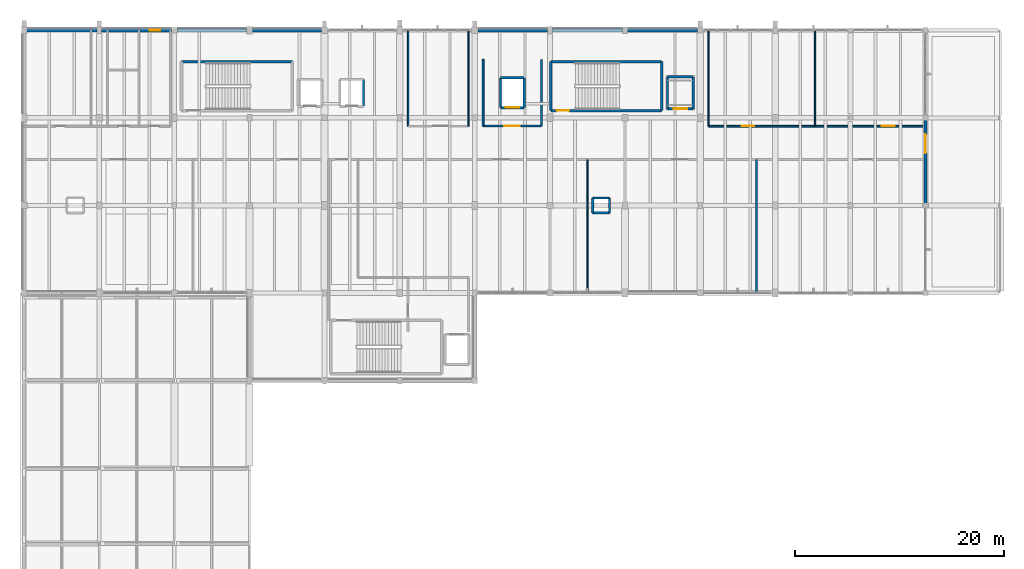
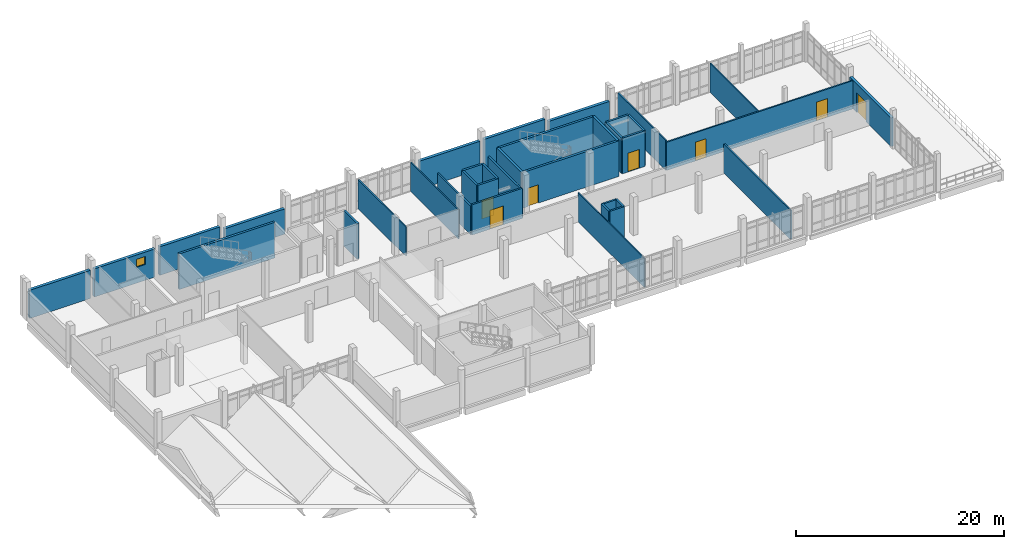
# One storey, part 34 of 41: 36 walls, 7 doors, 1 window, 8 openings.
"""IFC4 building model written with IfcOpenShell, lengths in metres."""

import ifcopenshell
import ifcopenshell.guid

model = None  # the IFC model being written
_history = None  # IfcOwnerHistory: only IFC2X3 demands one
_inside = {}  # id of a spatial element -> (the spatial element, [elements in it])
_under = {}  # id of a project, library or spatial element -> (it, [spatial elements below it])
_declared = {}  # id of a project -> (the project, [libraries it declares])
_typed = {}  # id of a type object -> (the type object, [elements of that type])
_made_of = {}  # id of a material, layer set ... -> (it, [elements and type objects made of it])


def new_model(schema):
    """Start an empty IFC model of exactly this schema.

    Asked for "IFC4X3", IfcOpenShell would pick the latest addendum, in which some entities
    have other attributes; the version numbers below select the first issue.
    IFC2X3 requires an IfcOwnerHistory on every rooted entity: one is made here for all.
    """
    global model, _history
    if schema == "IFC4X3":
        model = ifcopenshell.file(schema_version=(4, 3, 0, 0))
    else:
        model = ifcopenshell.file(schema=schema)
    _inside.clear()
    _under.clear()
    _declared.clear()
    _typed.clear()
    _made_of.clear()
    _history = None
    if model.schema == "IFC2X3":
        org = make("IfcOrganization", Name="unknown")
        user = make(
            "IfcPersonAndOrganization",
            ThePerson=make("IfcPerson", FamilyName="unknown"),
            TheOrganization=org,
        )
        app = make(
            "IfcApplication",
            ApplicationDeveloper=org,
            Version="unknown",
            ApplicationFullName="unknown",
            ApplicationIdentifier="unknown",
        )
        _history = make(
            "IfcOwnerHistory",
            OwningUser=user,
            OwningApplication=app,
            ChangeAction="ADDED",
            CreationDate=0,
        )
    return model


def make(cls, **values):
    """One entity of the class cls with the attributes given. An attribute that is None is left unset."""
    return model.create_entity(
        cls, **{name: value for name, value in values.items() if value is not None}
    )


def rooted(cls, **values):
    """An entity with a GlobalId (a new one), such as an element, a storey or a relation."""
    return make(cls, GlobalId=ifcopenshell.guid.new(), OwnerHistory=_history, **values)


def si_unit(unit_type, name, prefix=None):
    """IfcSIUnit, for example si_unit("LENGTHUNIT", "METRE", prefix="MILLI")."""
    return make("IfcSIUnit", UnitType=unit_type, Prefix=prefix, Name=name)


def assignment(units):
    """IfcUnitAssignment: the units of a project."""
    return None if units is None else make("IfcUnitAssignment", Units=units)


def point(xyz):
    """IfcCartesianPoint."""
    return None if xyz is None else make("IfcCartesianPoint", Coordinates=xyz)


def direction(xyz):
    """IfcDirection."""
    return None if xyz is None else make("IfcDirection", DirectionRatios=xyz)


def frame(location, z_axis=None, x_axis=None):
    """IfcAxis2Placement3D, a coordinate frame: its origin and axes. An axis left out is left unset."""
    return make(
        "IfcAxis2Placement3D",
        Location=point(location),
        Axis=direction(z_axis),
        RefDirection=direction(x_axis),
    )


def frame_2d(location, x_axis=None):
    """IfcAxis2Placement2D, a coordinate frame in the plane: its origin and x axis."""
    return make(
        "IfcAxis2Placement2D", Location=point(location), RefDirection=direction(x_axis)
    )


def origin():
    """The frame at (0, 0, 0) with its axes left unset."""
    return frame((0.0, 0.0, 0.0))


def place(relative_to, where):
    """IfcLocalPlacement: puts the frame where relative to a parent placement (None: the world)."""
    return make(
        "IfcLocalPlacement", PlacementRelTo=relative_to, RelativePlacement=where
    )


def context(
    kind, dimensions, precision=None, world=None, true_north=None, identifier=None
):
    """IfcGeometricRepresentationContext, for example the 3D "Model" context."""
    return make(
        "IfcGeometricRepresentationContext",
        ContextIdentifier=identifier,
        ContextType=kind,
        CoordinateSpaceDimension=dimensions,
        Precision=precision,
        WorldCoordinateSystem=world,
        TrueNorth=true_north,
    )


def subcontext(parent, identifier, kind, view, scale=None):
    """IfcGeometricRepresentationSubContext, for example "Body" below "Model"."""
    return make(
        "IfcGeometricRepresentationSubContext",
        ContextIdentifier=identifier,
        ContextType=kind,
        ParentContext=parent,
        TargetScale=scale,
        TargetView=view,
    )


def project(units=None, contexts=None):
    """IfcProject with its units and contexts."""
    return rooted(
        "IfcProject",
        Name="project",
        RepresentationContexts=contexts,
        UnitsInContext=assignment(units),
    )


def spatial(cls, under=None, at=None, **own):
    """A site, building, storey or space (cls), placed at a placement, below another one or the project."""
    s = rooted(cls, ObjectPlacement=at, **own)
    if under is not None:
        _under.setdefault(under.id(), (under, []))[1].append(s)
    return s


def profile(cls, at=None, kind="AREA", **sizes):
    """A parametric profile (cls). Its sizes go by their IFC names, for example OverallWidth=200.0."""
    return make(cls, ProfileType=kind, Position=at, **sizes)


def rectangle(**sizes):
    """IfcRectangleProfileDef."""
    return profile("IfcRectangleProfileDef", **sizes)


def extrude(swept, where, along, depth):
    """IfcExtrudedAreaSolid: the profile swept, set in the frame where, extruded along a direction by depth."""
    return make(
        "IfcExtrudedAreaSolid",
        SweptArea=swept,
        Position=where,
        ExtrudedDirection=direction(along),
        Depth=depth,
    )


def shape(context_of_items, identifier, shape_type, items):
    """IfcShapeRepresentation: the items that make up one representation, for example the "Body"."""
    return make(
        "IfcShapeRepresentation",
        ContextOfItems=context_of_items,
        RepresentationIdentifier=identifier,
        RepresentationType=shape_type,
        Items=items,
    )


def material(Name=None, Category=None):
    """IfcMaterial."""
    return make("IfcMaterial", Name=Name, Category=Category)


def layer(
    of_material, thickness, ventilated=None, Name=None, Category=None, Priority=None
):
    """IfcMaterialLayer: one layer of a wall or slab, of a material (None: an air gap)."""
    return make(
        "IfcMaterialLayer",
        Material=of_material,
        LayerThickness=thickness,
        IsVentilated=ventilated,
        Name=Name,
        Category=Category,
        Priority=Priority,
    )


def layer_set(layers, Name=None):
    """IfcMaterialLayerSet."""
    return make("IfcMaterialLayerSet", MaterialLayers=layers, LayerSetName=Name)


def made_of(thing, what):
    """Note that an element or type object is made of a material, layer set ...; save() writes the relation."""
    if what is not None:
        _made_of.setdefault(what.id(), (what, []))[1].append(thing)
    return thing


def type_object(cls, material=None, **own):
    """A type object (cls), such as IfcWallType, which elements share."""
    return made_of(rooted(cls, **own), material)


def element(
    cls,
    number,
    at=None,
    inside=None,
    cuts=None,
    type_object=None,
    material=None,
    context=None,
    identifier="Body",
    shape_type=None,
    held_by="IfcProductDefinitionShape",
    body=None,
    shapes=None,
    **own,
):
    """One element of the class cls, such as IfcWall. Its Tag is "e" and its number.

    at: its placement. inside: the storey or other place that contains it. cuts: it is an
    opening in that element (IfcRelVoidsElement). A single representation is given by context,
    identifier, shape_type and body (its items); several are given by shapes. held_by: the class
    of the entity that holds the representations. save() writes the other relations.
    """
    e = rooted(cls, Tag="e%d" % number, ObjectPlacement=at, **own)
    if body is not None:
        shapes = [shape(context, identifier, shape_type, body)]
    if shapes is not None:
        e.Representation = make(held_by, Representations=shapes)
    if inside is not None:
        _inside.setdefault(inside.id(), (inside, []))[1].append(e)
    if cuts is not None:
        rooted(
            "IfcRelVoidsElement", RelatingBuildingElement=cuts, RelatedOpeningElement=e
        )
    if type_object is not None:
        _typed.setdefault(type_object.id(), (type_object, []))[1].append(e)
    return made_of(e, material)


def fill(opening, filler):
    """IfcRelFillsElement: the door or window that sits in an opening."""
    return rooted(
        "IfcRelFillsElement",
        RelatingOpeningElement=opening,
        RelatedBuildingElement=filler,
    )


def aggregate(whole, parts):
    """IfcRelAggregates: a whole, such as a stair, and the parts it consists of."""
    return rooted("IfcRelAggregates", RelatingObject=whole, RelatedObjects=parts)


def save(model, path):
    """Write the relations noted so far, then the file.

    IfcRelAggregates (storeys below a building ...), IfcRelContainedInSpatialStructure (elements
    in a storey), IfcRelDefinesByType, IfcRelAssociatesMaterial and IfcRelDeclares: one each for
    every whole, place, type object, material and project.
    """
    for whole, parts in _under.values():
        aggregate(whole, parts)
    for where, things in _inside.values():
        rooted(
            "IfcRelContainedInSpatialStructure",
            RelatedElements=things,
            RelatingStructure=where,
        )
    for kind, things in _typed.values():
        rooted("IfcRelDefinesByType", RelatedObjects=things, RelatingType=kind)
    for what, things in _made_of.values():
        rooted("IfcRelAssociatesMaterial", RelatedObjects=things, RelatingMaterial=what)
    for by, libraries in _declared.values():
        rooted("IfcRelDeclares", RelatingContext=by, RelatedDefinitions=libraries)
    model.write(path)


model = new_model("IFC4")

# Units and contexts
model_context = context("Model", 3, precision=1e-05, world=origin(), true_north=direction((0.0, 1.0)))
body_context = subcontext(model_context, "Body", "Model", "MODEL_VIEW")
ifc_project = project(units=[si_unit("LENGTHUNIT", "METRE"), si_unit("AREAUNIT", "SQUARE_METRE"), si_unit("VOLUMEUNIT", "CUBIC_METRE"), si_unit("PLANEANGLEUNIT", "RADIAN"), si_unit("MASSUNIT", "GRAM", prefix="KILO")], contexts=[model_context])

# Site, building, storey
site_placement = place(None, origin())
site = spatial("IfcSite", under=ifc_project, at=site_placement, CompositionType="ELEMENT")
building_placement = place(site_placement, origin())
building = spatial("IfcBuilding", under=site, at=building_placement, Name="Kalluvel Institute of Natural Sciences", CompositionType="ELEMENT")
storey_placement = place(building_placement, frame((0.0, 0.0, 32.39990234375)))
storey = spatial("IfcBuildingStorey", under=building, at=storey_placement, Name="L07", CompositionType="ELEMENT", Elevation=32.39990234375)

# Wall
ifc_material_1 = material(Name="Concrete M40", Category="concrete")
ifc_layer_1 = layer(ifc_material_1, 0.25)
ifc_layer_set_1 = layer_set([ifc_layer_1], Name="Concrete M40")
wall_type_1 = type_object("IfcWallType", Name="WL-CORE-250", PredefinedType="SHEAR", material=ifc_layer_set_1)
wall_1_placement = place(storey_placement, frame((39.715087890625, 124.985107421875, 0.0), z_axis=(0.0, 0.0, 1.0), x_axis=(-1.0, 0.0, 0.0)))
element("IfcWall", 1, at=wall_1_placement, inside=storey, type_object=wall_type_1, Name="ST1 L07 core wall N", PredefinedType="SHEAR", context=body_context, shape_type="SweptSolid", body=[
    extrude(rectangle(XDim=10.630126953125, YDim=0.25, at=frame_2d((5.31494140625, 0.0))), origin(), (0.0, 0.0, 1.0), 4.175048828125),
])

# Wall, opening, door
wall_2_placement = place(storey_placement, frame((64.485107421875, 120.284912109375, 0.0), z_axis=(0.0, 0.0, 1.0), x_axis=(1.0, 0.0, 0.0)))
wall_2 = element("IfcWall", 2, at=wall_2_placement, inside=storey, type_object=wall_type_1, Name="ST2 L07 core wall S", PredefinedType="SHEAR", context=body_context, shape_type="SweptSolid", body=[
    extrude(rectangle(XDim=10.6298828125, YDim=0.25, at=frame_2d((5.31494140625, 0.0))), origin(), (0.0, 0.0, 1.0), 4.175048828125),
])
opening_1_placement = place(wall_2_placement, frame((0.550048828125, 0.0, 0.0)))
opening_1 = element("IfcOpeningElement", 3, at=opening_1_placement, cuts=wall_2, Name="Opening DS-020", PredefinedType="OPENING", context=body_context, shape_type="SweptSolid", body=[
    extrude(rectangle(XDim=1.199951171875, YDim=2.14990234375, at=frame_2d((0.60009765625, 1.074951171875))), frame((0.0, 0.135009765625, 0.0), z_axis=(0.0, -1.0, 0.0), x_axis=(1.0, 0.0, 0.0)), (0.0, 0.0, 1.0), 0.27001953125),
])
ifc_material_2 = material(Name="Galvanized Fire-Rated Steel", Category="steel")
door_type_1 = type_object("IfcDoorType", Name="DR-ST-1200", OperationType="NOTDEFINED", PredefinedType="DOOR", material=ifc_material_2)
door_1_placement = place(opening_1_placement, origin())
door_1 = element("IfcDoor", 4, at=door_1_placement, inside=storey, type_object=door_type_1, Name="ST2 L07 protected stair door DS-020", OperationType="SINGLE_SWING_LEFT", OverallHeight=2.14990234375, OverallWidth=1.199951171875, PredefinedType="DOOR", context=body_context, shape_type="SweptSolid", body=[
    extrude(rectangle(XDim=1.199951171875, YDim=2.14990234375, at=frame_2d((0.60009765625, 1.074951171875))), frame((0.0, 0.02490234375, 0.0), z_axis=(0.0, -1.0, 0.0), x_axis=(1.0, 0.0, 0.0)), (0.0, 0.0, 1.0), 0.050048828125),
])
fill(opening_1, door_1)

# Walls
wall_3_placement = place(storey_placement, frame((75.114990234375, 120.284912109375, 0.0), z_axis=(0.0, 0.0, 1.0), x_axis=(0.0, 1.0, 0.0)))
element("IfcWall", 5, at=wall_3_placement, inside=storey, type_object=wall_type_1, Name="ST2 L07 core wall E", PredefinedType="SHEAR", context=body_context, shape_type="SweptSolid", body=[
    extrude(rectangle(XDim=4.7001953125, YDim=0.25, at=frame_2d((2.35009765625, 0.0))), origin(), (0.0, 0.0, 1.0), 4.175048828125),
])
wall_4_placement = place(storey_placement, frame((75.114990234375, 124.985107421875, 0.0), z_axis=(0.0, 0.0, 1.0), x_axis=(-1.0, 0.0, 0.0)))
element("IfcWall", 6, at=wall_4_placement, inside=storey, type_object=wall_type_1, Name="ST2 L07 core wall N", PredefinedType="SHEAR", context=body_context, shape_type="SweptSolid", body=[
    extrude(rectangle(XDim=10.6298828125, YDim=0.25, at=frame_2d((5.31494140625, 0.0))), origin(), (0.0, 0.0, 1.0), 4.175048828125),
])
wall_5_placement = place(storey_placement, frame((64.485107421875, 124.985107421875, 0.0), z_axis=(0.0, 0.0, 1.0), x_axis=(0.0, -1.0, 0.0)))
element("IfcWall", 7, at=wall_5_placement, inside=storey, type_object=wall_type_1, Name="ST2 L07 core wall W", PredefinedType="SHEAR", context=body_context, shape_type="SweptSolid", body=[
    extrude(rectangle(XDim=4.7001953125, YDim=0.25, at=frame_2d((2.35009765625, 0.0))), origin(), (0.0, 0.0, 1.0), 4.175048828125),
])

# Wall, opening, door
ifc_material_3 = material(Name="Sadarahalli Grey Granite Ashlar Concrete M40", Category="masonry")
ifc_layer_2 = layer(ifc_material_3, 0.300048828125)
ifc_layer_set_2 = layer_set([ifc_layer_2], Name="Sadarahalli Grey Granite Ashlar Concrete M40")
wall_type_2 = type_object("IfcWallType", Name="WL-EXT-300", PredefinedType="SOLIDWALL", material=ifc_layer_set_2)
wall_6_placement = place(storey_placement, frame((100.39990234375, 111.405029296875, 0.0), z_axis=(0.0, 0.0, 1.0), x_axis=(0.0, 1.0, 0.0)))
wall_6 = element("IfcWall", 8, at=wall_6_placement, inside=storey, type_object=wall_type_2, Name="L07 Sadarahalli granite exterior wall WL-EXT-L07-0098", PredefinedType="SOLIDWALL", context=body_context, shape_type="SweptSolid", body=[
    extrude(rectangle(XDim=7.965087890625, YDim=0.300048828125, at=frame_2d((3.982421875, 0.0))), origin(), (0.0, 0.0, 1.0), 3.35498046875),
])
opening_2_placement = place(wall_6_placement, frame((4.800048828125, 0.0, 0.0)))
opening_2 = element("IfcOpeningElement", 9, at=opening_2_placement, cuts=wall_6, Name="Opening DT-002", PredefinedType="OPENING", context=body_context, shape_type="SweptSolid", body=[
    extrude(rectangle(XDim=1.800048828125, YDim=2.300048828125, at=frame_2d((0.89990234375, 1.14990234375))), frame((0.0, 0.159912109375, 0.0), z_axis=(0.0, -1.0, 0.0), x_axis=(1.0, 0.0, 0.0)), (0.0, 0.0, 1.0), 0.320068359375),
])
ifc_material_4 = material(Name="Aluminium AW-6063 T6", Category="aluminium")
door_type_2 = type_object("IfcDoorType", Name="DR-TER-1800", OperationType="NOTDEFINED", PredefinedType="DOOR", material=ifc_material_4)
door_2_placement = place(opening_2_placement, origin())
door_2 = element("IfcDoor", 10, at=door_2_placement, inside=storey, type_object=door_type_2, Name="L07 East Planted Terrace Door", OperationType="DOUBLE_DOOR_SINGLE_SWING", OverallHeight=2.300048828125, OverallWidth=1.800048828125, PredefinedType="DOOR", context=body_context, shape_type="SweptSolid", body=[
    extrude(rectangle(XDim=1.800048828125, YDim=2.300048828125, at=frame_2d((0.89990234375, 1.14990234375))), frame((0.0, 0.02490234375, 0.0), z_axis=(0.0, -1.0, 0.0), x_axis=(1.0, 0.0, 0.0)), (0.0, 0.0, 1.0), 0.050048828125),
])
fill(opening_2, door_2)

# Wall
ifc_layer_3 = layer(ifc_material_3, 0.320068359375)
ifc_layer_set_3 = layer_set([ifc_layer_3], Name="Sadarahalli Grey Granite Ashlar Concrete M40")
wall_type_3 = type_object("IfcWallType", Name="WL-EXT-320", PredefinedType="SOLIDWALL", material=ifc_layer_set_3)
wall_7_placement = place(storey_placement, frame((14.22998046875, 128.0, 0.0), z_axis=(0.0, 0.0, 1.0), x_axis=(1.0, 0.0, 0.0)))
element("IfcWall", 11, at=wall_7_placement, inside=storey, type_object=wall_type_3, Name="L07 Sadarahalli granite exterior wall WL-EXT-L07-0087", PredefinedType="SOLIDWALL", context=body_context, shape_type="SweptSolid", body=[
    extrude(rectangle(XDim=6.76513671875, YDim=0.320068359375, at=frame_2d((3.382568359375, 0.0))), origin(), (0.0, 0.0, 1.0), 3.30517578125),
])

# Wall, opening, window
wall_8_placement = place(storey_placement, frame((21.405029296875, 128.0, 0.0), z_axis=(0.0, 0.0, 1.0), x_axis=(1.0, 0.0, 0.0)))
wall_8 = element("IfcWall", 12, at=wall_8_placement, inside=storey, type_object=wall_type_3, Name="L07 Sadarahalli granite exterior wall WL-EXT-L07-0088", PredefinedType="SOLIDWALL", context=body_context, shape_type="SweptSolid", body=[
    extrude(rectangle(XDim=6.739990234375, YDim=0.320068359375, at=frame_2d((3.3701171875, 0.0))), origin(), (0.0, 0.0, 1.0), 3.30517578125),
])
opening_3_placement = place(wall_8_placement, frame((4.64990234375, 0.0, 1.85009765625)))
opening_3 = element("IfcOpeningElement", 13, at=opening_3_placement, cuts=wall_8, Name="Opening W-23", PredefinedType="OPENING", context=body_context, shape_type="SweptSolid", body=[
    extrude(rectangle(XDim=1.0, YDim=0.949951171875, at=frame_2d((0.5, 0.47509765625))), frame((0.0, 0.169921875, 0.0), z_axis=(0.0, -1.0, 0.0), x_axis=(1.0, 0.0, 0.0)), (0.0, 0.0, 1.0), 0.340087890625),
])
ifc_material_5 = material(Name="Solar-Control Low-E Laminated Glass", Category="glass")
window_type = type_object("IfcWindowType", Name="WN-HIGH-100x095", PartitioningType="SINGLE_PANEL", PredefinedType="WINDOW", material=ifc_material_5)
window_placement = place(opening_3_placement, origin())
window = element("IfcWindow", 14, at=window_placement, inside=storey, type_object=window_type, Name="L07 Gothic lancet window 21", OverallHeight=0.949951171875, OverallWidth=1.0, PartitioningType="SINGLE_PANEL", PredefinedType="WINDOW", context=body_context, shape_type="SweptSolid", body=[
    extrude(rectangle(XDim=1.0, YDim=0.949951171875, at=frame_2d((0.5, 0.47509765625))), frame((0.0, 0.030029296875, 0.0), z_axis=(0.0, -1.0, 0.0), x_axis=(1.0, 0.0, 0.0)), (0.0, 0.0, 1.0), 0.06005859375),
])
fill(opening_3, window)

# Walls
wall_9_placement = place(storey_placement, frame((28.655029296875, 128.0, 0.0), z_axis=(0.0, 0.0, 1.0), x_axis=(1.0, 0.0, 0.0)))
element("IfcWall", 15, at=wall_9_placement, inside=storey, type_object=wall_type_3, Name="L07 Sadarahalli granite exterior wall WL-EXT-L07-0089", PredefinedType="SOLIDWALL", context=body_context, shape_type="SweptSolid", body=[
    extrude(rectangle(XDim=6.68994140625, YDim=0.320068359375, at=frame_2d((3.344970703125, 0.0))), origin(), (0.0, 0.0, 1.0), 3.35498046875),
])
wall_10_placement = place(storey_placement, frame((35.85498046875, 128.0, 0.0), z_axis=(0.0, 0.0, 1.0), x_axis=(1.0, 0.0, 0.0)))
element("IfcWall", 16, at=wall_10_placement, inside=storey, type_object=wall_type_3, Name="L07 Sadarahalli granite exterior wall WL-EXT-L07-0090", PredefinedType="SOLIDWALL", context=body_context, shape_type="SweptSolid", body=[
    extrude(rectangle(XDim=6.6650390625, YDim=0.320068359375, at=frame_2d((3.33251953125, 0.0))), origin(), (0.0, 0.0, 1.0), 2.955078125),
])
wall_11_placement = place(storey_placement, frame((57.47998046875, 128.0, 0.0), z_axis=(0.0, 0.0, 1.0), x_axis=(1.0, 0.0, 0.0)))
element("IfcWall", 17, at=wall_11_placement, inside=storey, type_object=wall_type_3, Name="L07 Sadarahalli granite exterior wall WL-EXT-L07-0091", PredefinedType="SOLIDWALL", context=body_context, shape_type="SweptSolid", body=[
    extrude(rectangle(XDim=6.68994140625, YDim=0.320068359375, at=frame_2d((3.344970703125, 0.0))), origin(), (0.0, 0.0, 1.0), 3.30517578125),
])
wall_12_placement = place(storey_placement, frame((64.6298828125, 128.0, 0.0), z_axis=(0.0, 0.0, 1.0), x_axis=(1.0, 0.0, 0.0)))
element("IfcWall", 18, at=wall_12_placement, inside=storey, type_object=wall_type_3, Name="L07 Sadarahalli granite exterior wall WL-EXT-L07-0092", PredefinedType="SOLIDWALL", context=body_context, shape_type="SweptSolid", body=[
    extrude(rectangle(XDim=6.76513671875, YDim=0.320068359375, at=frame_2d((3.382568359375, 0.0))), origin(), (0.0, 0.0, 1.0), 3.35498046875),
])
wall_13_placement = place(storey_placement, frame((71.804931640625, 128.0, 0.0), z_axis=(0.0, 0.0, 1.0), x_axis=(1.0, 0.0, 0.0)))
element("IfcWall", 19, at=wall_13_placement, inside=storey, type_object=wall_type_3, Name="L07 Sadarahalli granite exterior wall WL-EXT-L07-0093", PredefinedType="SOLIDWALL", context=body_context, shape_type="SweptSolid", body=[
    extrude(rectangle(XDim=6.739990234375, YDim=0.320068359375, at=frame_2d((3.3701171875, 0.0))), origin(), (0.0, 0.0, 1.0), 2.955078125),
])
ifc_material_6 = material(Name="Autoclaved Aerated Concrete Masonry Block", Category="masonry")
ifc_layer_4 = layer(ifc_material_6, 0.179931640625)
ifc_layer_set_4 = layer_set([ifc_layer_4], Name="Autoclaved Aerated Concrete Masonry Block")
wall_type_4 = type_object("IfcWallType", Name="WL-FIRE-180", PredefinedType="SOLIDWALL", material=ifc_layer_set_4)
wall_14_placement = place(storey_placement, frame((58.0, 118.800048828125, 0.0), z_axis=(0.0, 0.0, 1.0), x_axis=(0.0, 1.0, 0.0)))
element("IfcWall", 20, at=wall_14_placement, inside=storey, type_object=wall_type_4, Name="L07 interior fire wall WL-INT-L07-0310", PredefinedType="SOLIDWALL", context=body_context, shape_type="SweptSolid", body=[
    extrude(rectangle(XDim=6.39990234375, YDim=0.179931640625, at=frame_2d((3.199951171875, 0.0))), origin(), (0.0, 0.0, 1.0), 3.360107421875),
])

# Wall, opening, door
ifc_layer_5 = layer(ifc_material_6, 0.199951171875)
ifc_layer_set_5 = layer_set([ifc_layer_5], Name="Autoclaved Aerated Concrete Masonry Block")
wall_type_5 = type_object("IfcWallType", Name="WL-FIRE-200", PredefinedType="SOLIDWALL", material=ifc_layer_set_5)
wall_15_placement = place(storey_placement, frame((58.0, 118.800048828125, 0.0), z_axis=(0.0, 0.0, 1.0), x_axis=(1.0, 0.0, 0.0)))
wall_15 = element("IfcWall", 21, at=wall_15_placement, inside=storey, type_object=wall_type_5, Name="L07 interior fire wall WL-INT-L07-0309", PredefinedType="SOLIDWALL", context=body_context, shape_type="SweptSolid", body=[
    extrude(rectangle(XDim=5.60009765625, YDim=0.199951171875, at=frame_2d((2.800048828125, 0.0))), origin(), (0.0, 0.0, 1.0), 3.5400390625),
])
opening_4_placement = place(wall_15_placement, frame((2.0, 0.0, 0.0)))
opening_4 = element("IfcOpeningElement", 22, at=opening_4_placement, cuts=wall_15, Name="Opening D-235", PredefinedType="OPENING", context=body_context, shape_type="SweptSolid", body=[
    extrude(rectangle(XDim=1.5, YDim=2.199951171875, at=frame_2d((0.75, 1.10009765625))), frame((0.0, 0.10986328125, 0.0), z_axis=(0.0, -1.0, 0.0), x_axis=(1.0, 0.0, 0.0)), (0.0, 0.0, 1.0), 0.219970703125),
])
door_type_3 = type_object("IfcDoorType", Name="DR-FD60-1500", OperationType="NOTDEFINED", PredefinedType="DOOR", material=ifc_material_2)
door_3_placement = place(opening_4_placement, origin())
door_3 = element("IfcDoor", 23, at=door_3_placement, inside=storey, type_object=door_type_3, Name="L07 FF1 door D-235", OperationType="DOUBLE_DOOR_SINGLE_SWING", OverallHeight=2.199951171875, OverallWidth=1.5, PredefinedType="DOOR", context=body_context, shape_type="SweptSolid", body=[
    extrude(rectangle(XDim=1.5, YDim=2.199951171875, at=frame_2d((0.75, 1.10009765625))), frame((0.0, 0.02490234375, 0.0), z_axis=(0.0, -1.0, 0.0), x_axis=(1.0, 0.0, 0.0)), (0.0, 0.0, 1.0), 0.050048828125),
])
fill(opening_4, door_3)

# Walls
wall_16_placement = place(storey_placement, frame((63.60009765625, 118.800048828125, 0.0), z_axis=(0.0, 0.0, 1.0), x_axis=(0.0, 1.0, 0.0)))
element("IfcWall", 24, at=wall_16_placement, inside=storey, type_object=wall_type_5, Name="L07 interior fire wall WL-INT-L07-0311", PredefinedType="SOLIDWALL", context=body_context, shape_type="SweptSolid", body=[
    extrude(rectangle(XDim=6.39990234375, YDim=0.199951171875, at=frame_2d((3.199951171875, 0.0))), origin(), (0.0, 0.0, 1.0), 3.360107421875),
])
ifc_material_7 = material(Name="Acoustic Gypsum Twin-Stud Partition", Category="gypsum")
ifc_layer_6 = layer(ifc_material_7, 0.1201171875)
ifc_layer_set_6 = layer_set([ifc_layer_6], Name="Acoustic Gypsum Twin-Stud Partition")
wall_type_6 = type_object("IfcWallType", Name="WL-PART-120", PredefinedType="PARTITIONING", material=ifc_layer_set_6)
for number, where, z_axis, x_axis, name in (
    (25, (56.60009765625, 118.800048828125, 0.0), (0.0, 0.0, 1.0), (0.0, 1.0, 0.0), "L07 interior partition wall WL-INT-L07-0326"),
    (26, (89.800048828125, 118.800048828125, 0.0), (0.0, 0.0, 1.0), (0.0, 1.0, 0.0), "L07 interior partition wall WL-INT-L07-0329"),
):
    element("IfcWall", number, at=place(storey_placement, frame(where, z_axis=z_axis, x_axis=x_axis)), inside=storey, type_object=wall_type_6, Name=name, PredefinedType="PARTITIONING", context=body_context, shape_type="SweptSolid", body=[
        extrude(rectangle(XDim=9.199951171875, YDim=0.1201171875, at=frame_2d((4.60009765625, 0.0))), origin(), (0.0, 0.0, 1.0), 3.41015625),
    ])
wall_17_placement = place(storey_placement, frame((68.0, 102.800048828125, 0.0), z_axis=(0.0, 0.0, 1.0), x_axis=(0.0, 1.0, 0.0)))
element("IfcWall", 27, at=wall_17_placement, inside=storey, type_object=wall_type_6, Name="L07 interior partition wall WL-INT-L07-0332", PredefinedType="PARTITIONING", context=body_context, shape_type="SweptSolid", body=[
    extrude(rectangle(XDim=12.800048828125, YDim=0.1201171875, at=frame_2d((6.39990234375, 0.0))), origin(), (0.0, 0.0, 1.0), 3.41015625),
])
ifc_layer_7 = layer(ifc_material_7, 0.139892578125)
ifc_layer_set_7 = layer_set([ifc_layer_7], Name="Acoustic Gypsum Twin-Stud Partition")
wall_type_7 = type_object("IfcWallType", Name="WL-PART-140", PredefinedType="PARTITIONING", material=ifc_layer_set_7)
wall_18_placement = place(storey_placement, frame((50.800048828125, 118.800048828125, 0.0), z_axis=(0.0, 0.0, 1.0), x_axis=(0.0, 1.0, 0.0)))
element("IfcWall", 28, at=wall_18_placement, inside=storey, type_object=wall_type_7, Name="L07 interior partition wall WL-INT-L07-0325", PredefinedType="PARTITIONING", context=body_context, shape_type="SweptSolid", body=[
    extrude(rectangle(XDim=9.199951171875, YDim=0.139892578125, at=frame_2d((4.60009765625, 0.0))), origin(), (0.0, 0.0, 1.0), 3.41015625),
])
wall_19_placement = place(storey_placement, frame((79.60009765625, 118.800048828125, 0.0), z_axis=(0.0, 0.0, 1.0), x_axis=(0.0, 1.0, 0.0)))
element("IfcWall", 29, at=wall_19_placement, inside=storey, type_object=wall_type_7, Name="L07 interior partition wall WL-INT-L07-0328", PredefinedType="PARTITIONING", context=body_context, shape_type="SweptSolid", body=[
    extrude(rectangle(XDim=9.199951171875, YDim=0.139892578125, at=frame_2d((4.60009765625, 0.0))), origin(), (0.0, 0.0, 1.0), 3.510009765625),
])

# Wall, openings, doors
ifc_layer_8 = layer(ifc_material_6, 0.159912109375)
ifc_layer_set_8 = layer_set([ifc_layer_8], Name="Autoclaved Aerated Concrete Masonry Block")
wall_type_8 = type_object("IfcWallType", Name="WL-PART-160", PredefinedType="PARTITIONING", material=ifc_layer_set_8)
wall_20_placement = place(storey_placement, frame((79.60009765625, 118.800048828125, 0.0), z_axis=(0.0, 0.0, 1.0), x_axis=(1.0, 0.0, 0.0)))
wall_20 = element("IfcWall", 30, at=wall_20_placement, inside=storey, type_object=wall_type_8, Name="L07 interior partition wall WL-INT-L07-0327", PredefinedType="PARTITIONING", context=body_context, shape_type="SweptSolid", body=[
    extrude(rectangle(XDim=20.7998046875, YDim=0.159912109375, at=frame_2d((10.39990234375, 0.0))), origin(), (0.0, 0.0, 1.0), 3.31005859375),
])
opening_5_placement = place(wall_20_placement, frame((3.199951171875, 0.0, 0.0)))
opening_5 = element("IfcOpeningElement", 31, at=opening_5_placement, cuts=wall_20, Name="Opening D-241", PredefinedType="OPENING", context=body_context, shape_type="SweptSolid", body=[
    extrude(rectangle(XDim=1.179931640625, YDim=2.199951171875, at=frame_2d((0.58984375, 1.10009765625))), frame((0.0, 0.08984375, 0.0), z_axis=(0.0, -1.0, 0.0), x_axis=(1.0, 0.0, 0.0)), (0.0, 0.0, 1.0), 0.179931640625),
])
opening_6_placement = place(wall_20_placement, frame((16.60009765625, 0.0, 0.0)))
opening_6 = element("IfcOpeningElement", 32, at=opening_6_placement, cuts=wall_20, Name="Opening D-242", PredefinedType="OPENING", context=body_context, shape_type="SweptSolid", body=[
    extrude(rectangle(XDim=1.25, YDim=2.199951171875, at=frame_2d((0.625, 1.10009765625))), frame((0.0, 0.08984375, 0.0), z_axis=(0.0, -1.0, 0.0), x_axis=(1.0, 0.0, 0.0)), (0.0, 0.0, 1.0), 0.179931640625),
])
ifc_material_8 = material(Name="Engineered Hardwood Acoustic Leaf", Category="wood")
door_type_4 = type_object("IfcDoorType", Name="DR-INT-1180", OperationType="NOTDEFINED", PredefinedType="DOOR", material=ifc_material_8)
door_4_placement = place(opening_5_placement, origin())
door_4 = element("IfcDoor", 33, at=door_4_placement, inside=storey, type_object=door_type_4, Name="L07 NE1 door D-241", OperationType="SINGLE_SWING_LEFT", OverallHeight=2.199951171875, OverallWidth=1.179931640625, PredefinedType="DOOR", context=body_context, shape_type="SweptSolid", body=[
    extrude(rectangle(XDim=1.179931640625, YDim=2.199951171875, at=frame_2d((0.58984375, 1.10009765625))), frame((0.0, 0.02490234375, 0.0), z_axis=(0.0, -1.0, 0.0), x_axis=(1.0, 0.0, 0.0)), (0.0, 0.0, 1.0), 0.050048828125),
])
fill(opening_5, door_4)
door_type_5 = type_object("IfcDoorType", Name="DR-INT-1250", OperationType="NOTDEFINED", PredefinedType="DOOR", material=ifc_material_8)
door_5_placement = place(opening_6_placement, origin())
door_5 = element("IfcDoor", 34, at=door_5_placement, inside=storey, type_object=door_type_5, Name="L07 NE2 door D-242", OperationType="SINGLE_SWING_RIGHT", OverallHeight=2.199951171875, OverallWidth=1.25, PredefinedType="DOOR", context=body_context, shape_type="SweptSolid", body=[
    extrude(rectangle(XDim=1.25, YDim=2.199951171875, at=frame_2d((0.625, 1.10009765625))), frame((0.0, 0.02490234375, 0.0), z_axis=(0.0, -1.0, 0.0), x_axis=(1.0, 0.0, 0.0)), (0.0, 0.0, 1.0), 0.050048828125),
])
fill(opening_6, door_5)

# Walls
wall_21_placement = place(storey_placement, frame((84.199951171875, 102.800048828125, 0.0), z_axis=(0.0, 0.0, 1.0), x_axis=(0.0, 1.0, 0.0)))
element("IfcWall", 35, at=wall_21_placement, inside=storey, type_object=wall_type_8, Name="L07 interior partition wall WL-INT-L07-0333", PredefinedType="PARTITIONING", context=body_context, shape_type="SweptSolid", body=[
    extrude(rectangle(XDim=12.800048828125, YDim=0.159912109375, at=frame_2d((6.39990234375, 0.0))), origin(), (0.0, 0.0, 1.0), 3.41015625),
])
ifc_layer_9 = layer(ifc_material_1, 0.199951171875)
ifc_layer_set_9 = layer_set([ifc_layer_9], Name="Concrete M40")
wall_type_9 = type_object("IfcWallType", Name="WL-RISER-200", PredefinedType="SHEAR", material=ifc_layer_set_9)
wall_22_placement = place(storey_placement, frame((68.5, 110.5, 0.0), z_axis=(0.0, 0.0, 1.0), x_axis=(1.0, 0.0, 0.0)))
element("IfcWall", 36, at=wall_22_placement, inside=storey, type_object=wall_type_9, Name="RS-WET-E L07 service riser enclosure S", PredefinedType="SHEAR", context=body_context, shape_type="SweptSolid", body=[
    extrude(rectangle(XDim=1.60009765625, YDim=0.199951171875, at=frame_2d((0.800048828125, 0.0))), origin(), (0.0, 0.0, 1.0), 4.14013671875),
])
wall_23_placement = place(storey_placement, frame((70.10009765625, 110.5, 0.0), z_axis=(0.0, 0.0, 1.0), x_axis=(0.0, 1.0, 0.0)))
element("IfcWall", 37, at=wall_23_placement, inside=storey, type_object=wall_type_9, Name="RS-WET-E L07 service riser enclosure E", PredefinedType="SHEAR", context=body_context, shape_type="SweptSolid", body=[
    extrude(rectangle(XDim=1.39990234375, YDim=0.199951171875, at=frame_2d((0.699951171875, 0.0))), origin(), (0.0, 0.0, 1.0), 4.14013671875),
])
wall_24_placement = place(storey_placement, frame((70.10009765625, 111.89990234375, 0.0), z_axis=(0.0, 0.0, 1.0), x_axis=(-1.0, 0.0, 0.0)))
element("IfcWall", 38, at=wall_24_placement, inside=storey, type_object=wall_type_9, Name="RS-WET-E L07 service riser enclosure N", PredefinedType="SHEAR", context=body_context, shape_type="SweptSolid", body=[
    extrude(rectangle(XDim=1.60009765625, YDim=0.199951171875, at=frame_2d((0.800048828125, 0.0))), origin(), (0.0, 0.0, 1.0), 4.14013671875),
])
wall_25_placement = place(storey_placement, frame((68.5, 111.89990234375, 0.0), z_axis=(0.0, 0.0, 1.0), x_axis=(0.0, -1.0, 0.0)))
element("IfcWall", 39, at=wall_25_placement, inside=storey, type_object=wall_type_9, Name="RS-WET-E L07 service riser enclosure W", PredefinedType="SHEAR", context=body_context, shape_type="SweptSolid", body=[
    extrude(rectangle(XDim=1.39990234375, YDim=0.199951171875, at=frame_2d((0.699951171875, 0.0))), origin(), (0.0, 0.0, 1.0), 4.14013671875),
])
ifc_layer_10 = layer(ifc_material_1, 0.219970703125)
ifc_layer_set_10 = layer_set([ifc_layer_10], Name="Concrete M40")
wall_type_10 = type_object("IfcWallType", Name="WL-SHAFT-220", PredefinedType="SHEAR", material=ifc_layer_set_10)
wall_26_placement = place(storey_placement, frame((46.530029296875, 120.719970703125, 0.0), z_axis=(0.0, 0.0, 1.0), x_axis=(0.0, 1.0, 0.0)))
element("IfcWall", 40, at=wall_26_placement, inside=storey, type_object=wall_type_10, Name="LF2 L07 lift shaft wall", PredefinedType="SHEAR", context=body_context, shape_type="SweptSolid", body=[
    extrude(rectangle(XDim=2.56005859375, YDim=0.219970703125, at=frame_2d((1.280029296875, 0.0))), origin(), (0.0, 0.0, 1.0), 4.175048828125),
])

# Wall, opening, door
wall_27_placement = place(storey_placement, frame((59.669921875, 120.570068359375, 0.0), z_axis=(0.0, 0.0, 1.0), x_axis=(1.0, 0.0, 0.0)))
wall_27 = element("IfcWall", 41, at=wall_27_placement, inside=storey, type_object=wall_type_10, Name="LF3 L07 lift shaft wall", PredefinedType="SHEAR", context=body_context, shape_type="SweptSolid", body=[
    extrude(rectangle(XDim=2.260009765625, YDim=0.219970703125, at=frame_2d((1.1298828125, 0.0))), origin(), (0.0, 0.0, 1.0), 4.175048828125),
])
opening_7_placement = place(wall_27_placement, frame((0.47998046875, 0.0, 0.0)))
opening_7 = element("IfcOpeningElement", 42, at=opening_7_placement, cuts=wall_27, Name="Opening LD-029", PredefinedType="OPENING", context=body_context, shape_type="SweptSolid", body=[
    extrude(rectangle(XDim=1.300048828125, YDim=2.199951171875, at=frame_2d((0.64990234375, 1.10009765625))), frame((0.0, 0.119873046875, 0.0), z_axis=(0.0, -1.0, 0.0), x_axis=(1.0, 0.0, 0.0)), (0.0, 0.0, 1.0), 0.239990234375),
])
door_type_6 = type_object("IfcDoorType", Name="DR-LD-1300", OperationType="NOTDEFINED", PredefinedType="DOOR", material=ifc_material_2)
door_6_placement = place(opening_7_placement, origin())
door_6 = element("IfcDoor", 43, at=door_6_placement, inside=storey, type_object=door_type_6, Name="LF3 L07 sliding lift landing door LD-029", OperationType="DOUBLE_DOOR_SLIDING", OverallHeight=2.199951171875, OverallWidth=1.300048828125, PredefinedType="DOOR", context=body_context, shape_type="SweptSolid", body=[
    extrude(rectangle(XDim=1.300048828125, YDim=2.199951171875, at=frame_2d((0.64990234375, 1.10009765625))), frame((0.0, 0.02490234375, 0.0), z_axis=(0.0, -1.0, 0.0), x_axis=(1.0, 0.0, 0.0)), (0.0, 0.0, 1.0), 0.050048828125),
])
fill(opening_7, door_6)

# Walls
wall_28_placement = place(storey_placement, frame((61.929931640625, 120.570068359375, 0.0), z_axis=(0.0, 0.0, 1.0), x_axis=(0.0, 1.0, 0.0)))
element("IfcWall", 44, at=wall_28_placement, inside=storey, type_object=wall_type_10, Name="LF3 L07 lift shaft wall", PredefinedType="SHEAR", context=body_context, shape_type="SweptSolid", body=[
    extrude(rectangle(XDim=2.85986328125, YDim=0.219970703125, at=frame_2d((1.429931640625, 0.0))), origin(), (0.0, 0.0, 1.0), 4.175048828125),
])
wall_29_placement = place(storey_placement, frame((61.929931640625, 123.429931640625, 0.0), z_axis=(0.0, 0.0, 1.0), x_axis=(-1.0, 0.0, 0.0)))
element("IfcWall", 45, at=wall_29_placement, inside=storey, type_object=wall_type_10, Name="LF3 L07 lift shaft wall", PredefinedType="SHEAR", context=body_context, shape_type="SweptSolid", body=[
    extrude(rectangle(XDim=2.260009765625, YDim=0.219970703125, at=frame_2d((1.1298828125, 0.0))), origin(), (0.0, 0.0, 1.0), 4.175048828125),
])
wall_30_placement = place(storey_placement, frame((59.669921875, 123.429931640625, 0.0), z_axis=(0.0, 0.0, 1.0), x_axis=(0.0, -1.0, 0.0)))
element("IfcWall", 46, at=wall_30_placement, inside=storey, type_object=wall_type_10, Name="LF3 L07 lift shaft wall", PredefinedType="SHEAR", context=body_context, shape_type="SweptSolid", body=[
    extrude(rectangle(XDim=2.85986328125, YDim=0.219970703125, at=frame_2d((1.429931640625, 0.0))), origin(), (0.0, 0.0, 1.0), 4.175048828125),
])

# Wall, opening, door
wall_31_placement = place(storey_placement, frame((75.669921875, 120.469970703125, 0.0), z_axis=(0.0, 0.0, 1.0), x_axis=(1.0, 0.0, 0.0)))
wall_31 = element("IfcWall", 47, at=wall_31_placement, inside=storey, type_object=wall_type_10, Name="LF4 L07 lift shaft wall", PredefinedType="SHEAR", context=body_context, shape_type="SweptSolid", body=[
    extrude(rectangle(XDim=2.4599609375, YDim=0.219970703125, at=frame_2d((1.22998046875, 0.0))), origin(), (0.0, 0.0, 1.0), 4.175048828125),
])
opening_8_placement = place(wall_31_placement, frame((0.580078125, 0.0, 0.0)))
opening_8 = element("IfcOpeningElement", 48, at=opening_8_placement, cuts=wall_31, Name="Opening LD-039", PredefinedType="OPENING", context=body_context, shape_type="SweptSolid", body=[
    extrude(rectangle(XDim=1.300048828125, YDim=2.199951171875, at=frame_2d((0.64990234375, 1.10009765625))), frame((0.0, 0.119873046875, 0.0), z_axis=(0.0, -1.0, 0.0), x_axis=(1.0, 0.0, 0.0)), (0.0, 0.0, 1.0), 0.239990234375),
])
door_7_placement = place(opening_8_placement, origin())
door_7 = element("IfcDoor", 49, at=door_7_placement, inside=storey, type_object=door_type_6, Name="LF4 L07 sliding lift landing door LD-039", OperationType="DOUBLE_DOOR_SLIDING", OverallHeight=2.199951171875, OverallWidth=1.300048828125, PredefinedType="DOOR", context=body_context, shape_type="SweptSolid", body=[
    extrude(rectangle(XDim=1.300048828125, YDim=2.199951171875, at=frame_2d((0.64990234375, 1.10009765625))), frame((0.0, 0.02490234375, 0.0), z_axis=(0.0, -1.0, 0.0), x_axis=(1.0, 0.0, 0.0)), (0.0, 0.0, 1.0), 0.050048828125),
])
fill(opening_8, door_7)

# Walls
wall_32_placement = place(storey_placement, frame((78.1298828125, 120.469970703125, 0.0), z_axis=(0.0, 0.0, 1.0), x_axis=(0.0, 1.0, 0.0)))
element("IfcWall", 50, at=wall_32_placement, inside=storey, type_object=wall_type_10, Name="LF4 L07 lift shaft wall", PredefinedType="SHEAR", context=body_context, shape_type="SweptSolid", body=[
    extrude(rectangle(XDim=3.06005859375, YDim=0.219970703125, at=frame_2d((1.530029296875, 0.0))), origin(), (0.0, 0.0, 1.0), 4.175048828125),
])
wall_33_placement = place(storey_placement, frame((78.1298828125, 123.530029296875, 0.0), z_axis=(0.0, 0.0, 1.0), x_axis=(-1.0, 0.0, 0.0)))
element("IfcWall", 51, at=wall_33_placement, inside=storey, type_object=wall_type_10, Name="LF4 L07 lift shaft wall", PredefinedType="SHEAR", context=body_context, shape_type="SweptSolid", body=[
    extrude(rectangle(XDim=2.4599609375, YDim=0.219970703125, at=frame_2d((1.22998046875, 0.0))), origin(), (0.0, 0.0, 1.0), 4.175048828125),
])
wall_34_placement = place(storey_placement, frame((75.669921875, 123.530029296875, 0.0), z_axis=(0.0, 0.0, 1.0), x_axis=(0.0, -1.0, 0.0)))
element("IfcWall", 52, at=wall_34_placement, inside=storey, type_object=wall_type_10, Name="LF4 L07 lift shaft wall", PredefinedType="SHEAR", context=body_context, shape_type="SweptSolid", body=[
    extrude(rectangle(XDim=3.06005859375, YDim=0.219970703125, at=frame_2d((1.530029296875, 0.0))), origin(), (0.0, 0.0, 1.0), 4.175048828125),
])

save(model, "model.ifc")
